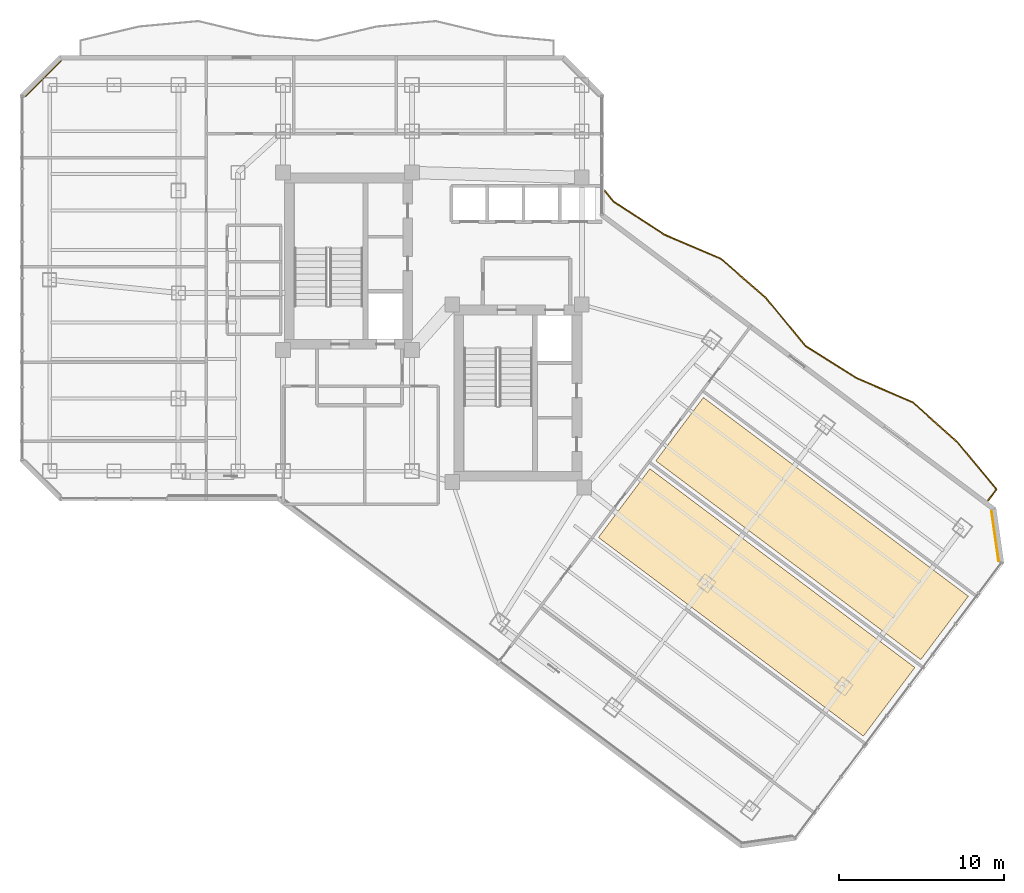
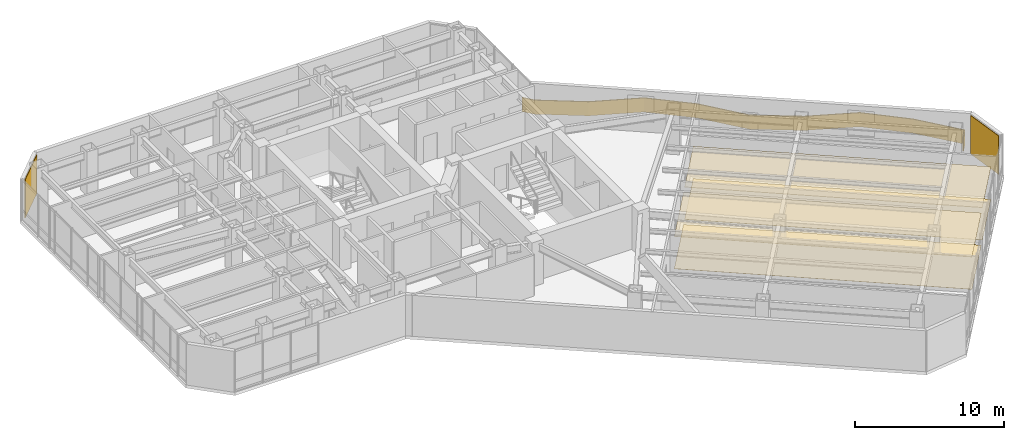
# One storey, part 29 of 31: 6 coverings, 1 railing.
"""IFC4 building model written with IfcOpenShell, lengths in metres."""

import ifcopenshell
import ifcopenshell.guid

model = None  # the IFC model being written
_history = None  # IfcOwnerHistory: only IFC2X3 demands one
_inside = {}  # id of a spatial element -> (the spatial element, [elements in it])
_under = {}  # id of a project, library or spatial element -> (it, [spatial elements below it])
_declared = {}  # id of a project -> (the project, [libraries it declares])
_typed = {}  # id of a type object -> (the type object, [elements of that type])
_made_of = {}  # id of a material, layer set ... -> (it, [elements and type objects made of it])


def new_model(schema):
    """Start an empty IFC model of exactly this schema.

    Asked for "IFC4X3", IfcOpenShell would pick the latest addendum, in which some entities
    have other attributes; the version numbers below select the first issue.
    IFC2X3 requires an IfcOwnerHistory on every rooted entity: one is made here for all.
    """
    global model, _history
    if schema == "IFC4X3":
        model = ifcopenshell.file(schema_version=(4, 3, 0, 0))
    else:
        model = ifcopenshell.file(schema=schema)
    _inside.clear()
    _under.clear()
    _declared.clear()
    _typed.clear()
    _made_of.clear()
    _history = None
    if model.schema == "IFC2X3":
        org = make("IfcOrganization", Name="unknown")
        user = make(
            "IfcPersonAndOrganization",
            ThePerson=make("IfcPerson", FamilyName="unknown"),
            TheOrganization=org,
        )
        app = make(
            "IfcApplication",
            ApplicationDeveloper=org,
            Version="unknown",
            ApplicationFullName="unknown",
            ApplicationIdentifier="unknown",
        )
        _history = make(
            "IfcOwnerHistory",
            OwningUser=user,
            OwningApplication=app,
            ChangeAction="ADDED",
            CreationDate=0,
        )
    return model


def make(cls, **values):
    """One entity of the class cls with the attributes given. An attribute that is None is left unset."""
    return model.create_entity(
        cls, **{name: value for name, value in values.items() if value is not None}
    )


def rooted(cls, **values):
    """An entity with a GlobalId (a new one), such as an element, a storey or a relation."""
    return make(cls, GlobalId=ifcopenshell.guid.new(), OwnerHistory=_history, **values)


def si_unit(unit_type, name, prefix=None):
    """IfcSIUnit, for example si_unit("LENGTHUNIT", "METRE", prefix="MILLI")."""
    return make("IfcSIUnit", UnitType=unit_type, Prefix=prefix, Name=name)


def assignment(units):
    """IfcUnitAssignment: the units of a project."""
    return None if units is None else make("IfcUnitAssignment", Units=units)


def point(xyz):
    """IfcCartesianPoint."""
    return None if xyz is None else make("IfcCartesianPoint", Coordinates=xyz)


def direction(xyz):
    """IfcDirection."""
    return None if xyz is None else make("IfcDirection", DirectionRatios=xyz)


def frame(location, z_axis=None, x_axis=None):
    """IfcAxis2Placement3D, a coordinate frame: its origin and axes. An axis left out is left unset."""
    return make(
        "IfcAxis2Placement3D",
        Location=point(location),
        Axis=direction(z_axis),
        RefDirection=direction(x_axis),
    )


def frame_2d(location, x_axis=None):
    """IfcAxis2Placement2D, a coordinate frame in the plane: its origin and x axis."""
    return make(
        "IfcAxis2Placement2D", Location=point(location), RefDirection=direction(x_axis)
    )


def origin():
    """The frame at (0, 0, 0) with its axes left unset."""
    return frame((0.0, 0.0, 0.0))


def origin_2d():
    """The frame at (0, 0) in the plane with its x axis left unset."""
    return frame_2d((0.0, 0.0))


def place(relative_to, where):
    """IfcLocalPlacement: puts the frame where relative to a parent placement (None: the world)."""
    return make(
        "IfcLocalPlacement", PlacementRelTo=relative_to, RelativePlacement=where
    )


def context(
    kind, dimensions, precision=None, world=None, true_north=None, identifier=None
):
    """IfcGeometricRepresentationContext, for example the 3D "Model" context."""
    return make(
        "IfcGeometricRepresentationContext",
        ContextIdentifier=identifier,
        ContextType=kind,
        CoordinateSpaceDimension=dimensions,
        Precision=precision,
        WorldCoordinateSystem=world,
        TrueNorth=true_north,
    )


def subcontext(parent, identifier, kind, view, scale=None):
    """IfcGeometricRepresentationSubContext, for example "Body" below "Model"."""
    return make(
        "IfcGeometricRepresentationSubContext",
        ContextIdentifier=identifier,
        ContextType=kind,
        ParentContext=parent,
        TargetScale=scale,
        TargetView=view,
    )


def project(units=None, contexts=None):
    """IfcProject with its units and contexts."""
    return rooted(
        "IfcProject",
        Name="project",
        RepresentationContexts=contexts,
        UnitsInContext=assignment(units),
    )


def spatial(cls, under=None, at=None, **own):
    """A site, building, storey or space (cls), placed at a placement, below another one or the project."""
    s = rooted(cls, ObjectPlacement=at, **own)
    if under is not None:
        _under.setdefault(under.id(), (under, []))[1].append(s)
    return s


def polyline(points):
    """IfcPolyline through the points."""
    return make("IfcPolyline", Points=[point(p) for p in points])


def profile(cls, at=None, kind="AREA", **sizes):
    """A parametric profile (cls). Its sizes go by their IFC names, for example OverallWidth=200.0."""
    return make(cls, ProfileType=kind, Position=at, **sizes)


def rectangle(**sizes):
    """IfcRectangleProfileDef."""
    return profile("IfcRectangleProfileDef", **sizes)


def outline(outer, holes=None, kind="AREA"):
    """IfcArbitraryClosedProfileDef: a profile drawn as a closed curve; with holes, ...WithVoids."""
    if holes is None:
        return make("IfcArbitraryClosedProfileDef", ProfileType=kind, OuterCurve=outer)
    return make(
        "IfcArbitraryProfileDefWithVoids",
        ProfileType=kind,
        OuterCurve=outer,
        InnerCurves=holes,
    )


def extrude(swept, where, along, depth):
    """IfcExtrudedAreaSolid: the profile swept, set in the frame where, extruded along a direction by depth."""
    return make(
        "IfcExtrudedAreaSolid",
        SweptArea=swept,
        Position=where,
        ExtrudedDirection=direction(along),
        Depth=depth,
    )


def shape(context_of_items, identifier, shape_type, items):
    """IfcShapeRepresentation: the items that make up one representation, for example the "Body"."""
    return make(
        "IfcShapeRepresentation",
        ContextOfItems=context_of_items,
        RepresentationIdentifier=identifier,
        RepresentationType=shape_type,
        Items=items,
    )


def material(Name=None, Category=None):
    """IfcMaterial."""
    return make("IfcMaterial", Name=Name, Category=Category)


def layer(
    of_material, thickness, ventilated=None, Name=None, Category=None, Priority=None
):
    """IfcMaterialLayer: one layer of a wall or slab, of a material (None: an air gap)."""
    return make(
        "IfcMaterialLayer",
        Material=of_material,
        LayerThickness=thickness,
        IsVentilated=ventilated,
        Name=Name,
        Category=Category,
        Priority=Priority,
    )


def layer_set(layers, Name=None):
    """IfcMaterialLayerSet."""
    return make("IfcMaterialLayerSet", MaterialLayers=layers, LayerSetName=Name)


def made_of(thing, what):
    """Note that an element or type object is made of a material, layer set ...; save() writes the relation."""
    if what is not None:
        _made_of.setdefault(what.id(), (what, []))[1].append(thing)
    return thing


def type_object(cls, material=None, **own):
    """A type object (cls), such as IfcWallType, which elements share."""
    return made_of(rooted(cls, **own), material)


def element(
    cls,
    number,
    at=None,
    inside=None,
    cuts=None,
    type_object=None,
    material=None,
    context=None,
    identifier="Body",
    shape_type=None,
    held_by="IfcProductDefinitionShape",
    body=None,
    shapes=None,
    **own,
):
    """One element of the class cls, such as IfcWall. Its Tag is "e" and its number.

    at: its placement. inside: the storey or other place that contains it. cuts: it is an
    opening in that element (IfcRelVoidsElement). A single representation is given by context,
    identifier, shape_type and body (its items); several are given by shapes. held_by: the class
    of the entity that holds the representations. save() writes the other relations.
    """
    e = rooted(cls, Tag="e%d" % number, ObjectPlacement=at, **own)
    if body is not None:
        shapes = [shape(context, identifier, shape_type, body)]
    if shapes is not None:
        e.Representation = make(held_by, Representations=shapes)
    if inside is not None:
        _inside.setdefault(inside.id(), (inside, []))[1].append(e)
    if cuts is not None:
        rooted(
            "IfcRelVoidsElement", RelatingBuildingElement=cuts, RelatedOpeningElement=e
        )
    if type_object is not None:
        _typed.setdefault(type_object.id(), (type_object, []))[1].append(e)
    return made_of(e, material)


def aggregate(whole, parts):
    """IfcRelAggregates: a whole, such as a stair, and the parts it consists of."""
    return rooted("IfcRelAggregates", RelatingObject=whole, RelatedObjects=parts)


def save(model, path):
    """Write the relations noted so far, then the file.

    IfcRelAggregates (storeys below a building ...), IfcRelContainedInSpatialStructure (elements
    in a storey), IfcRelDefinesByType, IfcRelAssociatesMaterial and IfcRelDeclares: one each for
    every whole, place, type object, material and project.
    """
    for whole, parts in _under.values():
        aggregate(whole, parts)
    for where, things in _inside.values():
        rooted(
            "IfcRelContainedInSpatialStructure",
            RelatedElements=things,
            RelatingStructure=where,
        )
    for kind, things in _typed.values():
        rooted("IfcRelDefinesByType", RelatedObjects=things, RelatingType=kind)
    for what, things in _made_of.values():
        rooted("IfcRelAssociatesMaterial", RelatedObjects=things, RelatingMaterial=what)
    for by, libraries in _declared.values():
        rooted("IfcRelDeclares", RelatingContext=by, RelatedDefinitions=libraries)
    model.write(path)


model = new_model("IFC4")

# Units and contexts
model_context = context("Model", 3, precision=1e-05, world=origin(), true_north=direction((0.0, 1.0)))
body_context = subcontext(model_context, "Body", "Model", "MODEL_VIEW")
ifc_project = project(units=[si_unit("LENGTHUNIT", "METRE"), si_unit("AREAUNIT", "SQUARE_METRE"), si_unit("VOLUMEUNIT", "CUBIC_METRE"), si_unit("PLANEANGLEUNIT", "RADIAN"), si_unit("MASSUNIT", "GRAM", prefix="KILO")], contexts=[model_context])

# Site, building, storey
site_placement = place(None, origin())
site = spatial("IfcSite", under=ifc_project, at=site_placement, CompositionType="ELEMENT")
building_placement = place(site_placement, origin())
building = spatial("IfcBuilding", under=site, at=building_placement, Name="Hatsunagi Terrace Concourse", CompositionType="ELEMENT")
storey_placement = place(building_placement, frame((0.0, 0.0, 112.050048828125)))
storey = spatial("IfcBuildingStorey", under=building, at=storey_placement, Name="L29", CompositionType="ELEMENT", Elevation=112.050048828125)

# Covering
ifc_material_1 = material(Name="Acoustic mineral board", Category="gypsum")
ifc_layer_1 = layer(ifc_material_1, 0.02001953125)
ifc_layer_set_1 = layer_set([ifc_layer_1], Name="AcousticMineralCeiling_20")
covering_type_1 = type_object("IfcCoveringType", Name="AcousticMineralCeiling_20", PredefinedType="CEILING", material=ifc_layer_set_1)
covering_1_placement = place(storey_placement, frame((0.0, 0.0, 2.6298828125)))
element("IfcCovering", 1, at=covering_1_placement, inside=storey, type_object=covering_type_1, Name="Suspended Ceiling L29-1", PredefinedType="CEILING", context=body_context, shape_type="SweptSolid", body=[
    extrude(outline(polyline([(63.8359375, 13.298095703125), (47.780029296875, 25.340087890625), (44.659912109375, 21.179931640625), (60.716064453125, 9.137939453125), (63.8359375, 13.298095703125)])), origin(), (0.0, 0.0, 1.0), 0.02001953125),
])

# Railing
ifc_material_2 = material(Name="Laminated Glass and Stainless Steel Guard", Category="steel")
ifc_layer_2 = layer(ifc_material_2, 0.070068359375)
ifc_layer_set_2 = layer_set([ifc_layer_2], Name="BalconyGlassGuardRail_1150")
railing_type = type_object("IfcRailingType", Name="BalconyGlassGuardRail_1150", PredefinedType="BALUSTRADE", material=ifc_layer_set_2)
railing_placement = place(storey_placement, origin())
element("IfcRailing", 2, at=railing_placement, inside=storey, type_object=railing_type, Name="Engawa Balcony Guard GRD-01 L29-BSE-1", PredefinedType="BALUSTRADE", context=body_context, shape_type="SweptSolid", body=[
    extrude(outline(polyline([(45.072998046875, 42.214111328125), (45.018798828125, 42.169921875), (45.561279296875, 41.505615234375), (48.631591796875, 39.510009765625), (52.067138671875, 38.0439453125), (54.796875, 35.66162109375), (57.1787109375, 32.771484375), (60.279541015625, 30.81689453125), (63.703857421875, 29.338134765625), (66.402587890625, 26.914794921875), (68.743408203125, 24.099853515625), (68.241943359375, 23.430908203125), (68.298095703125, 23.388916015625), (68.83251953125, 24.10205078125), (66.453369140625, 26.96337890625), (63.7421875, 29.39794921875), (60.3125, 30.879150390625), (57.225341796875, 32.82470703125), (54.84716796875, 35.71044921875), (52.104736328125, 38.10400390625), (48.66455078125, 39.572021484375), (45.608642578125, 41.558349609375), (45.072998046875, 42.214111328125)])), origin(), (0.0, 0.0, 1.0), 1.14990234375),
])

# Coverings
ifc_material_3 = material(Name="Hardwood timber", Category="wood")
ifc_layer_3 = layer(ifc_material_3, 0.014892578125)
ifc_layer_set_3 = layer_set([ifc_layer_3], Name="HardwoodTimberFlooring_15")
covering_type_2 = type_object("IfcCoveringType", Name="HardwoodTimberFlooring_15", PredefinedType="FLOORING", material=ifc_layer_set_3)
covering_2_placement = place(storey_placement, origin())
element("IfcCovering", 3, at=covering_2_placement, inside=storey, type_object=covering_type_2, Name="Finished Flooring L29-1", PredefinedType="FLOORING", context=body_context, shape_type="SweptSolid", body=[
    extrude(outline(polyline([(63.8359375, 13.298095703125), (47.780029296875, 25.340087890625), (44.659912109375, 21.179931640625), (60.716064453125, 9.137939453125), (63.8359375, 13.298095703125)])), origin(), (0.0, 0.0, 1.0), 0.014892578125),
])
covering_3_placement = place(storey_placement, origin())
element("IfcCovering", 4, at=covering_3_placement, inside=storey, type_object=covering_type_2, Name="Finished Flooring L29-2", PredefinedType="FLOORING", context=body_context, shape_type="SweptSolid", body=[
    extrude(outline(polyline([(67.075927734375, 17.617919921875), (51.02001953125, 29.659912109375), (48.139892578125, 25.820068359375), (64.196044921875, 13.778076171875), (67.075927734375, 17.617919921875)])), origin(), (0.0, 0.0, 1.0), 0.014892578125),
])
ifc_material_4 = material(Name="Unglazed Warm Terracotta Rainscreen Tile", Category="masonry")
ifc_layer_4 = layer(ifc_material_4, 0.044921875)
ifc_layer_set_4 = layer_set([ifc_layer_4], Name="TerracottaRainscreenCladding_45")
covering_type_3 = type_object("IfcCoveringType", Name="TerracottaRainscreenCladding_45", PredefinedType="CLADDING", material=ifc_layer_set_4)
for number, where, z_axis, x_axis, name in (
    (5, (68.700927734375, 21.258056640625, 0.10009765625), (0.0, 0.0, 1.0), (0.141250262458, -0.989973920543, 0.0), "Terracotta Rainscreen Cladding L29-02"),
    (6, (11.013916015625, 48.986083984375, 0.10009765625), (0.0, 0.0, 1.0), (0.707106781187, 0.707106781187, 0.0), "Terracotta Rainscreen Cladding L29-10"),
):
    element("IfcCovering", number, at=place(storey_placement, frame(where, z_axis=z_axis, x_axis=x_axis)), inside=storey, type_object=covering_type_3, Name=name, PredefinedType="CLADDING", context=body_context, shape_type="SweptSolid", body=[
        extrude(rectangle(XDim=3.0380859375, YDim=0.044921875, at=origin_2d()), origin(), (0.0, 0.0, 1.0), 3.14990234375),
    ])
ifc_material_5 = material(Name="Hardwood timber", Category="wood")
ifc_layer_5 = layer(ifc_material_5, 0.034912109375)
ifc_layer_set_5 = layer_set([ifc_layer_5], Name="TimberBaffleCeiling_35")
covering_type_4 = type_object("IfcCoveringType", Name="TimberBaffleCeiling_35", PredefinedType="CEILING", material=ifc_layer_set_5)
covering_4_placement = place(storey_placement, frame((0.0, 0.0, 2.6298828125)))
element("IfcCovering", 7, at=covering_4_placement, inside=storey, type_object=covering_type_4, Name="Suspended Ceiling L29-2", PredefinedType="CEILING", context=body_context, shape_type="SweptSolid", body=[
    extrude(outline(polyline([(67.075927734375, 17.617919921875), (51.02001953125, 29.659912109375), (48.139892578125, 25.820068359375), (64.196044921875, 13.778076171875), (67.075927734375, 17.617919921875)])), origin(), (0.0, 0.0, 1.0), 0.03515625),
])

save(model, "model.ifc")
